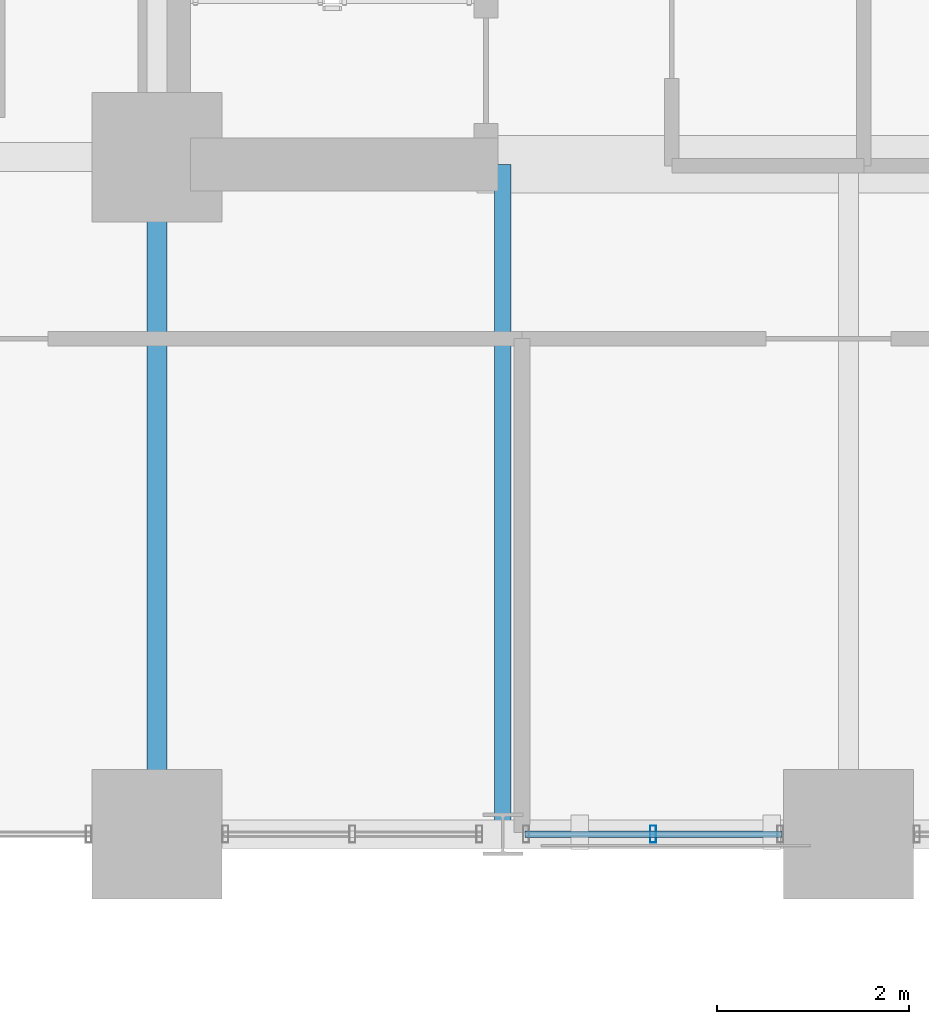
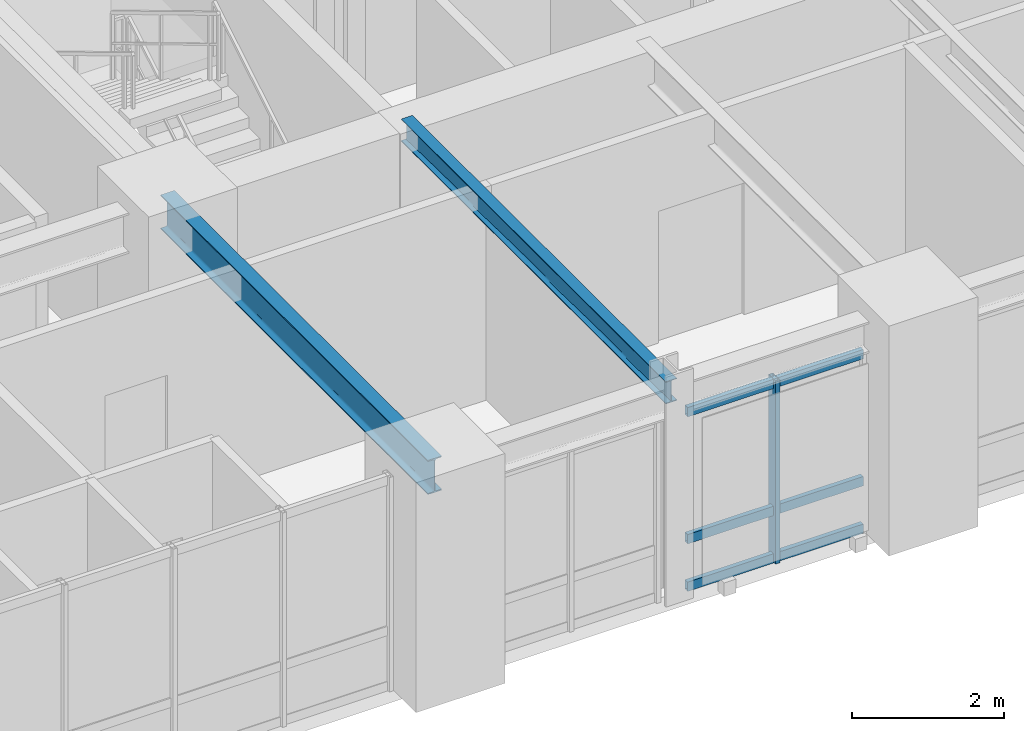
# One storey, part 3 of 16: 4 members, 2 beams, 1 element without a shape of its own.
"""IFC4 building model written with IfcOpenShell, lengths in metres."""

from ifc_helpers import new_model, si_unit, direction, frame, origin, origin_2d, place, context, subcontext, project, spatial, hollow_rectangle, i_section, extrude, source, transform, mapped, material, layer, layer_set, material_profile, profile_set, type_object, element, aggregate, save


model = new_model("IFC4")

# Units and contexts
model_context = context("Model", 3, precision=1e-05, world=origin(), true_north=direction((0.0, 1.0)))
body_context = subcontext(model_context, "Body", "Model", "MODEL_VIEW")
ifc_project = project(units=[si_unit("LENGTHUNIT", "METRE"), si_unit("AREAUNIT", "SQUARE_METRE"), si_unit("VOLUMEUNIT", "CUBIC_METRE"), si_unit("PLANEANGLEUNIT", "RADIAN"), si_unit("MASSUNIT", "GRAM", prefix="KILO")], contexts=[model_context])

# Site, building, storey
site_placement = place(None, origin())
site = spatial("IfcSite", under=ifc_project, at=site_placement, CompositionType="ELEMENT")
building_placement = place(site_placement, origin())
building = spatial("IfcBuilding", under=site, at=building_placement, Name="Kaliganga Portal Commons", CompositionType="ELEMENT")
storey_placement = place(building_placement, frame((0.0, 0.0, 29.0)))
storey = spatial("IfcBuildingStorey", under=building, at=storey_placement, Name="L06", CompositionType="ELEMENT", Elevation=29.0)

# Beams
ifc_material_1 = material(Name="Structural steel S355J2", Category="steel")
ifc_material_profile_1 = material_profile(ifc_material_1, i_section(OverallWidth=0.2099609375, OverallDepth=0.550048828125, WebThickness=0.010986328125, FlangeThickness=0.01708984375, FilletRadius=0.02392578125, at=origin_2d()), Name="IPE 550")
ifc_profile_set_1 = profile_set([ifc_material_profile_1], Name="Structural steel S355J2 wide-flange")
beam_type_1 = type_object("IfcBeamType", Name="BM-FLR-550", PredefinedType="BEAM", material=ifc_profile_set_1)
shared_shape_1 = source(origin(), body_context, "Body", "SweptSolid", [
    extrude(i_section(OverallWidth=0.2099609375, OverallDepth=0.550048828125, WebThickness=0.010986328125, FlangeThickness=0.01708984375, FilletRadius=0.02392578125, at=origin_2d()), origin(), (0.0, 0.0, 1.0), 7.0498046875),
])
beam_1_placement = place(storey_placement, frame((14.39990234375, 21.60009765625, 3.175048828125), z_axis=(0.0, 1.0, 0.0), x_axis=(-1.0, 0.0, 0.0)))
element("IfcBeam", 1, at=beam_1_placement, inside=storey, type_object=beam_type_1, Name="BM G L06 AS144", PredefinedType="BEAM", context=body_context, shape_type="MappedRepresentation", body=[
    mapped(shared_shape_1, transform((0.0, 0.0, 0.0), x_axis=(1.0, 0.0, 0.0), y_axis=(0.0, 1.0, 0.0), z_axis=(0.0, 0.0, 1.0), scale=1.0)),
])
ifc_material_profile_2 = material_profile(ifc_material_1, i_section(OverallWidth=0.169921875, OverallDepth=0.360107421875, WebThickness=0.008056640625, FlangeThickness=0.0126953125, FilletRadius=0.01806640625, at=origin_2d()), Name="IPE 360")
ifc_profile_set_2 = profile_set([ifc_material_profile_2], Name="Structural steel S355J2 wide-flange")
beam_type_2 = type_object("IfcBeamType", Name="BM-JST-360", PredefinedType="JOIST", material=ifc_profile_set_2)
shared_shape_2 = source(origin(), body_context, "Body", "SweptSolid", [
    extrude(i_section(OverallWidth=0.169921875, OverallDepth=0.360107421875, WebThickness=0.008056640625, FlangeThickness=0.0126953125, FilletRadius=0.01806640625, at=origin_2d()), origin(), (0.0, 0.0, 1.0), 6.974853515625),
])
beam_2_placement = place(storey_placement, frame((18.0, 21.60009765625, 3.27001953125), z_axis=(0.0, 1.0, 0.0), x_axis=(-1.0, 0.0, 0.0)))
element("IfcBeam", 2, at=beam_2_placement, inside=storey, type_object=beam_type_2, Name="BM G L06 AS180", PredefinedType="JOIST", context=body_context, shape_type="MappedRepresentation", body=[
    mapped(shared_shape_2, transform((0.0, 0.0, 0.0), x_axis=(1.0, 0.0, 0.0), y_axis=(0.0, 1.0, 0.0), z_axis=(0.0, 0.0, 1.0), scale=1.0)),
])

# Curtain wall, members
ifc_material_2 = material(Name="Anodized Aluminium and Laminated Low-E Glass", Category="aluminium")
ifc_layer = layer(ifc_material_2, 0.2099609375)
ifc_layer_set = layer_set([ifc_layer], Name="Anodized Aluminium and Laminated Low-E Glass")
curtain_wall_type = type_object("IfcCurtainWallType", Name="CW-SYS-03", PredefinedType="NOTDEFINED", material=ifc_layer_set)
curtain_wall_placement = place(storey_placement, origin())
curtain_wall = element("IfcCurtainWall", 3, at=curtain_wall_placement, inside=storey, type_object=curtain_wall_type, Name="CW 03 L06 P1E04S3", PredefinedType="NOTDEFINED")
ifc_material_3 = material(Name="Dark Bronze Anodized Aluminium", Category="aluminium")
ifc_material_profile_3 = material_profile(ifc_material_3, hollow_rectangle(XDim=0.06494140625, YDim=0.179931640625, WallThickness=0.00390625, at=origin_2d()), Name="ALU MULL 65x180x4")
ifc_profile_set_3 = profile_set([ifc_material_profile_3], Name="Dark Bronze Anodized Aluminium")
member_type_1 = type_object("IfcMemberType", Name="CW-MUL-180", PredefinedType="MULLION", material=ifc_profile_set_3)
shared_shape_3 = source(origin(), body_context, "Body", "SweptSolid", [
    extrude(hollow_rectangle(XDim=0.06494140625, YDim=0.179931640625, WallThickness=0.00390625, at=origin_2d()), origin(), (0.0, 0.0, 1.0), 2.949951171875),
])
member_1_placement = place(storey_placement, frame((19.56640625, 21.60009765625, 0.0), z_axis=(0.0, 0.0, 1.0), x_axis=(1.0, 0.0, 0.0)))
member_1 = element("IfcMember", 4, at=member_1_placement, type_object=member_type_1, Name="CW:03:L06:P1E04S3 Mullion 01", PredefinedType="MULLION", context=body_context, shape_type="MappedRepresentation", body=[
    mapped(shared_shape_3, transform((0.0, 0.0, 0.0), x_axis=(1.0, 0.0, 0.0), y_axis=(0.0, 1.0, 0.0), z_axis=(0.0, 0.0, 1.0), scale=1.0)),
])
ifc_material_profile_4 = material_profile(ifc_material_3, hollow_rectangle(XDim=0.070068359375, YDim=0.14990234375, WallThickness=0.00341796875, at=origin_2d()), Name="ALU TRAN 70x150x3.5")
ifc_profile_set_4 = profile_set([ifc_material_profile_4], Name="Dark Bronze Anodized Aluminium")
member_type_2 = type_object("IfcMemberType", Name="CW-TRN-150", PredefinedType="USERDEFINED", material=ifc_profile_set_4)
shared_shape_4 = source(origin(), body_context, "Body", "SweptSolid", [
    extrude(hollow_rectangle(XDim=0.070068359375, YDim=0.14990234375, WallThickness=0.00341796875, at=origin_2d()), origin(), (0.0, 0.0, 1.0), 2.675048828125),
])
member_2_placement = place(storey_placement, frame((18.22900390625, 21.60009765625, 0.06005859375), z_axis=(1.0, 0.0, 0.0), x_axis=(0.0, 1.0, 0.0)))
member_2 = element("IfcMember", 5, at=member_2_placement, type_object=member_type_2, Name="CW:03:L06:P1E04S3 Transom 1", ObjectType="TRANSOM", PredefinedType="USERDEFINED", context=body_context, shape_type="MappedRepresentation", body=[
    mapped(shared_shape_4, transform((0.0, 0.0, 0.0), x_axis=(1.0, 0.0, 0.0), y_axis=(0.0, 1.0, 0.0), z_axis=(0.0, 0.0, 1.0), scale=1.0)),
])
member_3_placement = place(storey_placement, frame((18.22900390625, 21.60009765625, 0.825927734375), z_axis=(1.0, 0.0, 0.0), x_axis=(0.0, 1.0, 0.0)))
member_3 = element("IfcMember", 6, at=member_3_placement, type_object=member_type_2, Name="CW:03:L06:P1E04S3 Transom 2", ObjectType="TRANSOM", PredefinedType="USERDEFINED", context=body_context, shape_type="MappedRepresentation", body=[
    mapped(shared_shape_4, transform((0.0, 0.0, 0.0), x_axis=(1.0, 0.0, 0.0), y_axis=(0.0, 1.0, 0.0), z_axis=(0.0, 0.0, 1.0), scale=1.0)),
])
member_4_placement = place(storey_placement, frame((18.22900390625, 21.60009765625, 2.8701171875), z_axis=(1.0, 0.0, 0.0), x_axis=(0.0, 1.0, 0.0)))
member_4 = element("IfcMember", 7, at=member_4_placement, type_object=member_type_2, Name="CW:03:L06:P1E04S3 Transom 3", ObjectType="TRANSOM", PredefinedType="USERDEFINED", context=body_context, shape_type="MappedRepresentation", body=[
    mapped(shared_shape_4, transform((0.0, 0.0, 0.0), x_axis=(1.0, 0.0, 0.0), y_axis=(0.0, 1.0, 0.0), z_axis=(0.0, 0.0, 1.0), scale=1.0)),
])
aggregate(curtain_wall, [member_1, member_2, member_3, member_4])

save(model, "model.ifc")
